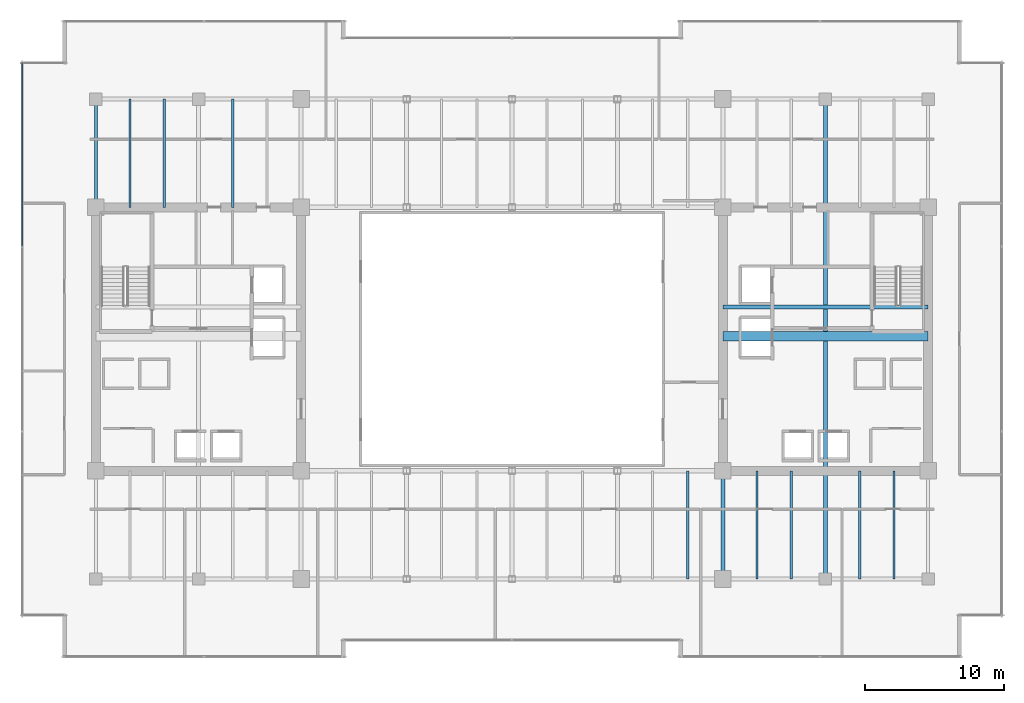
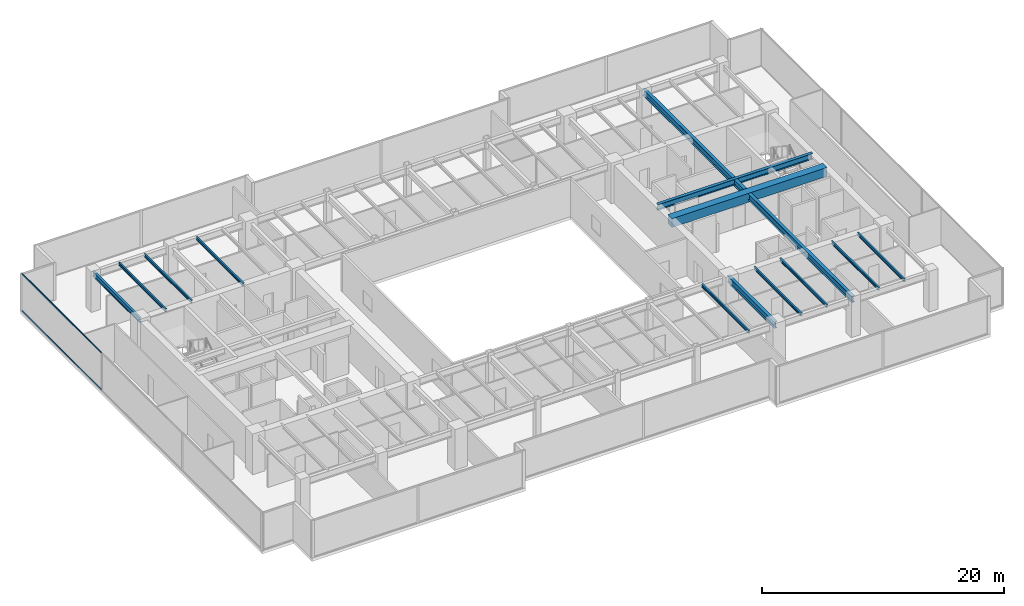
# One storey, part 13 of 30: 13 beams, 2 members, 1 element without a shape of its own.
"""IFC4 building model written with IfcOpenShell, lengths in metres."""

from ifc_helpers import new_model, si_unit, direction, frame, origin, origin_2d, place, context, subcontext, project, spatial, rectangle, hollow_rectangle, i_section, extrude, source, transform, mapped, material, layer, layer_set, material_profile, profile_set, type_object, type_shapes, element, aggregate, save


model = new_model("IFC4")

# Units and contexts
model_context = context("Model", 3, precision=1e-05, world=origin(), true_north=direction((0.0, 1.0)))
body_context = subcontext(model_context, "Body", "Model", "MODEL_VIEW")
ifc_project = project(units=[si_unit("LENGTHUNIT", "METRE"), si_unit("AREAUNIT", "SQUARE_METRE"), si_unit("VOLUMEUNIT", "CUBIC_METRE"), si_unit("PLANEANGLEUNIT", "RADIAN"), si_unit("MASSUNIT", "GRAM", prefix="KILO")], contexts=[model_context])

# Site, building, storey
site_placement = place(None, origin())
site = spatial("IfcSite", under=ifc_project, at=site_placement, CompositionType="ELEMENT")
building_placement = place(site_placement, origin())
building = spatial("IfcBuilding", under=site, at=building_placement, Name="Haelvirn Gate Laboratories", CompositionType="ELEMENT")
storey_placement = place(building_placement, frame((0.0, 0.0, 125.60009765625)))
storey = spatial("IfcBuildingStorey", under=building, at=storey_placement, Name="L30", CompositionType="ELEMENT", Elevation=125.60009765625)

# Beams
ifc_material_1 = material(Name="Concrete C60/75", Category="concrete")
ifc_material_profile_1 = material_profile(ifc_material_1, rectangle(XDim=0.699951171875, YDim=0.89990234375, at=origin_2d()), Name="RCB-700x900")
ifc_profile_set_1 = profile_set([ifc_material_profile_1], Name="Concrete C60/75")
beam_type_1 = type_object("IfcBeamType", Name="BM-RCB-900", PredefinedType="LINTEL", material=ifc_profile_set_1)
shared_shape_1 = source(origin(), body_context, "Body", "SweptSolid", [
    extrude(rectangle(XDim=0.699951171875, YDim=0.89990234375, at=origin_2d()), origin(), (0.0, 0.0, 1.0), 14.7998046875),
])
type_shapes(beam_type_1, [shared_shape_1])
beam_1_placement = place(storey_placement, frame((52.60009765625, 24.5, 3.33984375), z_axis=(1.0, 0.0, 0.0), x_axis=(0.0, 1.0, 0.0)))
element("IfcBeam", 1, at=beam_1_placement, inside=storey, type_object=beam_type_1, Name="L30 East Core Coupling Beam", PredefinedType="LINTEL", context=body_context, shape_type="MappedRepresentation", body=[
    mapped(shared_shape_1, transform((0.0, 0.0, 0.0), scale=1.0)),
])
ifc_material_2 = material(Name="Steel SM355", Category="steel")
ifc_material_profile_2 = material_profile(ifc_material_2, i_section(OverallWidth=0.300048828125, OverallDepth=0.587890625, WebThickness=0.011962890625, FlangeThickness=0.02001953125, at=origin_2d()), Name="H-588x300x12x20")
ifc_profile_set_2 = profile_set([ifc_material_profile_2], Name="Steel SM355")
beam_type_2 = type_object("IfcBeamType", Name="BM-G-588", PredefinedType="BEAM", material=ifc_profile_set_2)
shared_shape_2 = source(origin(), body_context, "Body", "SweptSolid", [
    extrude(i_section(OverallWidth=0.300048828125, OverallDepth=0.587890625, WebThickness=0.011962890625, FlangeThickness=0.02001953125, at=origin_2d()), origin(), (0.0, 0.0, 1.0), 14.7998046875),
])
type_shapes(beam_type_2, [shared_shape_2])
beam_2_placement = place(storey_placement, frame((52.60009765625, 26.6201171875, 3.495849609375), z_axis=(1.0, 0.0, 0.0), x_axis=(0.0, 1.0, 0.0)))
element("IfcBeam", 2, at=beam_2_placement, inside=storey, type_object=beam_type_2, Name="L30 Stair ST2 Landing Header", PredefinedType="BEAM", context=body_context, shape_type="MappedRepresentation", body=[
    mapped(shared_shape_2, transform((0.0, 0.0, 0.0), scale=1.0)),
])
ifc_material_profile_3 = material_profile(ifc_material_2, i_section(OverallWidth=0.199951171875, OverallDepth=0.5, WebThickness=0.010009765625, FlangeThickness=0.01611328125, at=origin_2d()), Name="H-500x200x10x16")
ifc_profile_set_3 = profile_set([ifc_material_profile_3], Name="Steel SM355")
beam_type_3 = type_object("IfcBeamType", Name="BM-SP-500", PredefinedType="SPANDREL", material=ifc_profile_set_3)
shared_shape_3 = source(origin(), body_context, "Body", "SweptSolid", [
    extrude(i_section(OverallWidth=0.199951171875, OverallDepth=0.5, WebThickness=0.010009765625, FlangeThickness=0.01611328125, at=origin_2d()), origin(), (0.0, 0.0, 1.0), 7.800048828125),
])
type_shapes(beam_type_3, [shared_shape_3])
beam_3_placement = place(storey_placement, frame((7.39990234375, 33.800048828125, 3.539794921875), z_axis=(0.0, 1.0, 0.0), x_axis=(-1.0, 0.0, 0.0)))
element("IfcBeam", 3, at=beam_3_placement, inside=storey, type_object=beam_type_3, Name="L30 Perimeter Spandrel X7.4 (33.8-41.6)", PredefinedType="SPANDREL", context=body_context, shape_type="MappedRepresentation", body=[
    mapped(shared_shape_3, transform((0.0, 0.0, 0.0), scale=1.0)),
])
ifc_material_profile_4 = material_profile(ifc_material_2, i_section(OverallWidth=0.300048828125, OverallDepth=0.64990234375, WebThickness=0.012939453125, FlangeThickness=0.02197265625, at=origin_2d()), Name="H-650x300x13x22")
ifc_profile_set_4 = profile_set([ifc_material_profile_4], Name="Steel SM355")
beam_type_4 = type_object("IfcBeamType", Name="BM-G-650", PredefinedType="BEAM", material=ifc_profile_set_4)
shared_shape_4 = source(origin(), body_context, "Body", "SweptSolid", [
    extrude(i_section(OverallWidth=0.300048828125, OverallDepth=0.64990234375, WebThickness=0.012939453125, FlangeThickness=0.02197265625, at=origin_2d()), origin(), (0.0, 0.0, 1.0), 34.60009765625),
])
beam_4_placement = place(storey_placement, frame((60.0, 7.0, 3.46484375), z_axis=(0.0, 1.0, 0.0), x_axis=(-1.0, 0.0, 0.0)))
element("IfcBeam", 4, at=beam_4_placement, inside=storey, type_object=beam_type_4, Name="L30 Frame Girder X60.0 (7.0-41.6)", PredefinedType="BEAM", context=body_context, shape_type="MappedRepresentation", body=[
    mapped(shared_shape_4, transform((0.0, 0.0, 0.0), scale=1.0)),
])
shared_shape_5 = source(origin(), body_context, "Body", "SweptSolid", [
    extrude(i_section(OverallWidth=0.300048828125, OverallDepth=0.64990234375, WebThickness=0.012939453125, FlangeThickness=0.02197265625, at=origin_2d()), origin(), (0.0, 0.0, 1.0), 7.800048828125),
])
type_shapes(beam_type_4, [shared_shape_4, shared_shape_5])
beam_5_placement = place(storey_placement, frame((52.60009765625, 7.0, 3.46484375), z_axis=(0.0, 1.0, 0.0), x_axis=(-1.0, 0.0, 0.0)))
element("IfcBeam", 5, at=beam_5_placement, inside=storey, type_object=beam_type_4, Name="L30 Frame Girder X52.6 (7.0-14.8)", PredefinedType="BEAM", context=body_context, shape_type="MappedRepresentation", body=[
    mapped(shared_shape_5, transform((0.0, 0.0, 0.0), scale=1.0)),
])
ifc_material_profile_5 = material_profile(ifc_material_2, i_section(OverallWidth=0.14990234375, OverallDepth=0.300048828125, WebThickness=0.006591796875, FlangeThickness=0.009033203125, at=origin_2d()), Name="H-300x150x6.5x9")
ifc_profile_set_5 = profile_set([ifc_material_profile_5], Name="Steel SM355")
beam_type_5 = type_object("IfcBeamType", Name="BM-J-300", PredefinedType="JOIST", material=ifc_profile_set_5)
shared_shape_6 = source(origin(), body_context, "Body", "SweptSolid", [
    extrude(i_section(OverallWidth=0.14990234375, OverallDepth=0.300048828125, WebThickness=0.006591796875, FlangeThickness=0.009033203125, at=origin_2d()), origin(), (0.0, 0.0, 1.0), 7.800048828125),
])
type_shapes(beam_type_5, [shared_shape_6])
for number, where, z_axis, x_axis, name in (
    (6, (9.8701171875, 33.800048828125, 3.639892578125), (0.0, 1.0, 0.0), (-1.0, 0.0, 0.0), "L30 Composite Lab Joist North X9.87"),
    (7, (12.330078125, 33.800048828125, 3.639892578125), (0.0, 1.0, 0.0), (-1.0, 0.0, 0.0), "L30 Composite Lab Joist North X12.33"),
    (8, (17.27001953125, 33.800048828125, 3.639892578125), (0.0, 1.0, 0.0), (-1.0, 0.0, 0.0), "L30 Composite Lab Joist North X17.27"),
    (9, (50.070068359375, 7.0, 3.639892578125), (0.0, 1.0, 0.0), (-1.0, 0.0, 0.0), "L30 Composite Lab Joist South X50.07"),
    (10, (55.070068359375, 7.0, 3.639892578125), (0.0, 1.0, 0.0), (-1.0, 0.0, 0.0), "L30 Composite Lab Joist South X55.07"),
    (11, (57.530029296875, 7.0, 3.639892578125), (0.0, 1.0, 0.0), (-1.0, 0.0, 0.0), "L30 Composite Lab Joist South X57.53"),
    (12, (62.469970703125, 7.0, 3.639892578125), (0.0, 1.0, 0.0), (-1.0, 0.0, 0.0), "L30 Composite Lab Joist South X62.47"),
    (13, (64.929931640625, 7.0, 3.639892578125), (0.0, 1.0, 0.0), (-1.0, 0.0, 0.0), "L30 Composite Lab Joist South X64.93"),
):
    element("IfcBeam", number, at=place(storey_placement, frame(where, z_axis=z_axis, x_axis=x_axis)), inside=storey, type_object=beam_type_5, Name=name, PredefinedType="JOIST", context=body_context, shape_type="MappedRepresentation", body=[
        mapped(shared_shape_6, transform((0.0, 0.0, 0.0), scale=1.0)),
    ])

# Curtain wall, members
ifc_material_3 = material(Name="Anodised bronze unitised aluminium & triple low-E glass", Category="aluminium")
ifc_layer = layer(ifc_material_3, 0.179931640625, Name="CW-SYS-3")
ifc_layer_set = layer_set([ifc_layer], Name="Anodised bronze unitised aluminium & triple low-E glass")
curtain_wall_type = type_object("IfcCurtainWallType", Name="CW-SYS-3", PredefinedType="NOTDEFINED", material=ifc_layer_set)
curtain_wall_placement = place(storey_placement, origin())
curtain_wall = element("IfcCurtainWall", 14, at=curtain_wall_placement, inside=storey, type_object=curtain_wall_type, Name="L30 Unitised Curtain Wall CW-L30-P0-E17", PredefinedType="NOTDEFINED")
ifc_material_4 = material(Name="Extruded aluminium 6063-T6 (anodised bronze)", Category="aluminium")
ifc_material_profile_6 = material_profile(ifc_material_4, hollow_rectangle(XDim=0.06494140625, YDim=0.139892578125, WallThickness=0.00390625, at=origin_2d()), Name="CWT-140x65x4")
ifc_profile_set_6 = profile_set([ifc_material_profile_6], Name="Extruded aluminium 6063-T6 (anodised bronze)")
member_type = type_object("IfcMemberType", Name="CWT-T140", PredefinedType="USERDEFINED", material=ifc_profile_set_6)
shared_shape_7 = source(origin(), body_context, "Body", "SweptSolid", [
    extrude(hollow_rectangle(XDim=0.06494140625, YDim=0.139892578125, WallThickness=0.00390625, at=origin_2d()), origin(), (0.0, 0.0, 1.0), 13.220947265625),
])
type_shapes(member_type, [shared_shape_7])
member_1_placement = place(storey_placement, frame((2.10009765625, 44.22509765625, 0.032470703125), z_axis=(0.0, -1.0, 0.0), x_axis=(1.0, 0.0, 0.0)))
member_1 = element("IfcMember", 15, at=member_1_placement, type_object=member_type, Name="CW3 transom 1.1", ObjectType="TRANSOM", PredefinedType="USERDEFINED", context=body_context, shape_type="MappedRepresentation", body=[
    mapped(shared_shape_7, transform((0.0, 0.0, 0.0), scale=1.0)),
])
member_2_placement = place(storey_placement, frame((2.10009765625, 44.22509765625, 3.75732421875), z_axis=(0.0, -1.0, 0.0), x_axis=(1.0, 0.0, 0.0)))
member_2 = element("IfcMember", 16, at=member_2_placement, type_object=member_type, Name="CW3 transom 1.2", ObjectType="TRANSOM", PredefinedType="USERDEFINED", context=body_context, shape_type="MappedRepresentation", body=[
    mapped(shared_shape_7, transform((0.0, 0.0, 0.0), scale=1.0)),
])
aggregate(curtain_wall, [member_1, member_2])

save(model, "model.ifc")
